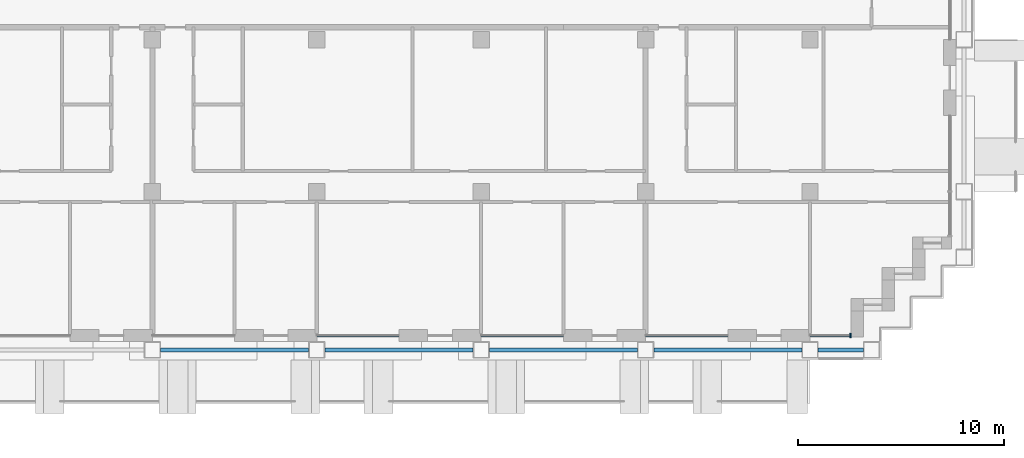
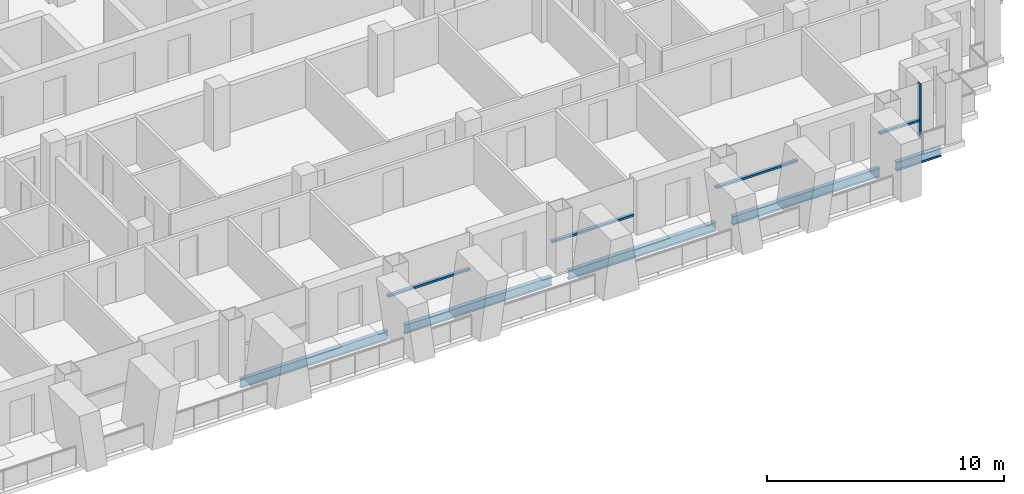
# One storey, part 3 of 17: 5 beams, 5 members, 4 elements without a shape of their own.
"""IFC4 building model written with IfcOpenShell, lengths in metres."""

from ifc_helpers import new_model, si_unit, direction, frame, origin, origin_2d, place, context, subcontext, project, spatial, rectangle, i_section, extrude, material, material_profile, profile_set, type_object, element, aggregate, save


model = new_model("IFC4")

# Units and contexts
model_context = context("Model", 3, precision=1e-05, world=origin(), true_north=direction((0.0, 1.0)))
body_context = subcontext(model_context, "Body", "Model", "MODEL_VIEW")
ifc_project = project(units=[si_unit("LENGTHUNIT", "METRE"), si_unit("AREAUNIT", "SQUARE_METRE"), si_unit("VOLUMEUNIT", "CUBIC_METRE"), si_unit("PLANEANGLEUNIT", "RADIAN"), si_unit("MASSUNIT", "GRAM", prefix="KILO")], contexts=[model_context])

# Site, building, storey
site_placement = place(None, origin())
site = spatial("IfcSite", under=ifc_project, at=site_placement, CompositionType="ELEMENT")
building_placement = place(site_placement, origin())
building = spatial("IfcBuilding", under=site, at=building_placement, Name="Vidyagriha Tower", CompositionType="ELEMENT")
storey_placement = place(building_placement, frame((0.0, 0.0, 148.60009765625)))
storey = spatial("IfcBuildingStorey", under=building, at=storey_placement, Name="L39", CompositionType="ELEMENT", Elevation=148.60009765625)

# Beams
ifc_material_1 = material(Name="Steel ASTM A992 Grade 50", Category="steel")
ifc_material_profile_1 = material_profile(ifc_material_1, i_section(OverallWidth=0.19189453125, OverallDepth=0.46240234375, WebThickness=0.010498046875, FlangeThickness=0.017578125, at=origin_2d()), Name="W18X60")
ifc_profile_set_1 = profile_set([ifc_material_profile_1], Name="Steel ASTM A992 Grade 50")
beam_type = type_object("IfcBeamType", Name="Edge beam W18X60", PredefinedType="SPANDREL", material=ifc_profile_set_1)
for number, where, z_axis, x_axis, name in (
    (1, (-5.60009765625, -17.10009765625, -0.51123046875), (1.0, 0.0, 0.0), (0.0, 1.0, 0.0), "st-beam-L39-S04"),
    (2, (2.39990234375, -17.10009765625, -0.51123046875), (1.0, 0.0, 0.0), (0.0, 1.0, 0.0), "st-beam-L39-S05"),
    (3, (10.39990234375, -17.10009765625, -0.51123046875), (1.0, 0.0, 0.0), (0.0, 1.0, 0.0), "st-beam-L39-S06"),
    (4, (18.39990234375, -17.10009765625, -0.51123046875), (1.0, 0.0, 0.0), (0.0, 1.0, 0.0), "st-beam-L39-S07"),
):
    element("IfcBeam", number, at=place(storey_placement, frame(where, z_axis=z_axis, x_axis=x_axis)), inside=storey, type_object=beam_type, Name=name, PredefinedType="SPANDREL", context=body_context, shape_type="SweptSolid", body=[
        extrude(i_section(OverallWidth=0.19189453125, OverallDepth=0.46240234375, WebThickness=0.010498046875, FlangeThickness=0.017578125, at=origin_2d()), origin(), (0.0, 0.0, 1.0), 7.2001953125),
    ])
beam_placement = place(storey_placement, frame((26.39990234375, -17.10009765625, -0.51123046875), z_axis=(1.0, 0.0, 0.0), x_axis=(0.0, 1.0, 0.0)))
element("IfcBeam", 5, at=beam_placement, inside=storey, type_object=beam_type, Name="st-beam-L39-S08", PredefinedType="SPANDREL", context=body_context, shape_type="SweptSolid", body=[
    extrude(i_section(OverallWidth=0.19189453125, OverallDepth=0.46240234375, WebThickness=0.010498046875, FlangeThickness=0.017578125, at=origin_2d()), origin(), (0.0, 0.0, 1.0), 2.2001953125),
])

# Curtain wall, member
ifc_material_2 = material(Name="Aluminium and glass curtain wall", Category="aluminium")
curtain_wall_type = type_object("IfcCurtainWallType", Name="Dwelling skin unitised curtain wall", PredefinedType="USERDEFINED", material=ifc_material_2)
curtain_wall_1_placement = place(storey_placement, origin())
curtain_wall_1 = element("IfcCurtainWall", 6, at=curtain_wall_1_placement, inside=storey, type_object=curtain_wall_type, Name="CW1 dwelling skin", ObjectType="UNITISED", PredefinedType="USERDEFINED")
ifc_material_3 = material(Name="Aluminium black anodised", Category="aluminium")
ifc_material_profile_2 = material_profile(ifc_material_3, rectangle(XDim=0.199951171875, YDim=0.070068359375, at=origin_2d()), Name="Mullion 70x200 black aluminium")
ifc_profile_set_2 = profile_set([ifc_material_profile_2], Name="Aluminium black anodised")
member_type_1 = type_object("IfcMemberType", Name="Mullion 70x200 black aluminium", PredefinedType="MULLION", material=ifc_profile_set_2)
member_1_placement = place(storey_placement, frame((27.965087890625, -16.39990234375, 0.0), z_axis=(0.0, 0.0, 1.0), x_axis=(0.0, 1.0, 0.0)))
member_1 = element("IfcMember", 7, at=member_1_placement, type_object=member_type_1, Name="CW1 mullion 2", PredefinedType="MULLION", context=body_context, shape_type="SweptSolid", body=[
    extrude(rectangle(XDim=0.199951171875, YDim=0.070068359375, at=origin_2d()), origin(), (0.0, 0.0, 1.0), 2.7998046875),
])

curtain_wall_2_placement = place(storey_placement, origin())
curtain_wall_2 = element("IfcCurtainWall", 8, at=curtain_wall_2_placement, inside=storey, type_object=curtain_wall_type, Name="CW1 dwelling skin", ObjectType="UNITISED", PredefinedType="USERDEFINED")
ifc_material_4 = material(Name="Aluminium black anodised", Category="aluminium")
ifc_material_profile_3 = material_profile(ifc_material_4, rectangle(XDim=0.159912109375, YDim=0.10009765625, at=origin_2d()), Name="Transom 100x160 black aluminium")
ifc_profile_set_3 = profile_set([ifc_material_profile_3], Name="Aluminium black anodised")
member_type_2 = type_object("IfcMemberType", Name="Transom 100x160 black aluminium", PredefinedType="USERDEFINED", material=ifc_profile_set_3)
member_2_placement = place(storey_placement, frame((2.0, -16.39990234375, 0.89990234375), z_axis=(1.0, 0.0, 0.0), x_axis=(0.0, 1.0, 0.0)))
member_2 = element("IfcMember", 9, at=member_2_placement, type_object=member_type_2, Name="CW1 transom 1.1", ObjectType="TRANSOM", PredefinedType="USERDEFINED", context=body_context, shape_type="SweptSolid", body=[
    extrude(rectangle(XDim=0.159912109375, YDim=0.10009765625, at=origin_2d()), origin(), (0.0, 0.0, 1.0), 4.0),
])
aggregate(curtain_wall_2, [member_2])

curtain_wall_3_placement = place(storey_placement, origin())
curtain_wall_3 = element("IfcCurtainWall", 10, at=curtain_wall_3_placement, inside=storey, type_object=curtain_wall_type, Name="CW1 dwelling skin", ObjectType="UNITISED", PredefinedType="USERDEFINED")
member_3_placement = place(storey_placement, frame((10.0, -16.39990234375, 0.89990234375), z_axis=(1.0, 0.0, 0.0), x_axis=(0.0, 1.0, 0.0)))
member_3 = element("IfcMember", 11, at=member_3_placement, type_object=member_type_2, Name="CW1 transom 1.1", ObjectType="TRANSOM", PredefinedType="USERDEFINED", context=body_context, shape_type="SweptSolid", body=[
    extrude(rectangle(XDim=0.159912109375, YDim=0.10009765625, at=origin_2d()), origin(), (0.0, 0.0, 1.0), 4.0),
])
aggregate(curtain_wall_3, [member_3])

curtain_wall_4_placement = place(storey_placement, origin())
curtain_wall_4 = element("IfcCurtainWall", 12, at=curtain_wall_4_placement, inside=storey, type_object=curtain_wall_type, Name="CW1 dwelling skin", ObjectType="UNITISED", PredefinedType="USERDEFINED")
member_4_placement = place(storey_placement, frame((18.0, -16.39990234375, 0.89990234375), z_axis=(1.0, 0.0, 0.0), x_axis=(0.0, 1.0, 0.0)))
member_4 = element("IfcMember", 13, at=member_4_placement, type_object=member_type_2, Name="CW1 transom 1.1", ObjectType="TRANSOM", PredefinedType="USERDEFINED", context=body_context, shape_type="SweptSolid", body=[
    extrude(rectangle(XDim=0.159912109375, YDim=0.10009765625, at=origin_2d()), origin(), (0.0, 0.0, 1.0), 4.0),
])
aggregate(curtain_wall_4, [member_4])

# Member
member_5_placement = place(storey_placement, frame((26.0, -16.39990234375, 0.89990234375), z_axis=(1.0, 0.0, 0.0), x_axis=(0.0, 1.0, 0.0)))
member_5 = element("IfcMember", 14, at=member_5_placement, type_object=member_type_2, Name="CW1 transom 1.1", ObjectType="TRANSOM", PredefinedType="USERDEFINED", context=body_context, shape_type="SweptSolid", body=[
    extrude(rectangle(XDim=0.159912109375, YDim=0.10009765625, at=origin_2d()), origin(), (0.0, 0.0, 1.0), 1.929931640625),
])

aggregate(curtain_wall_1, [member_1, member_5])

save(model, "model.ifc")
